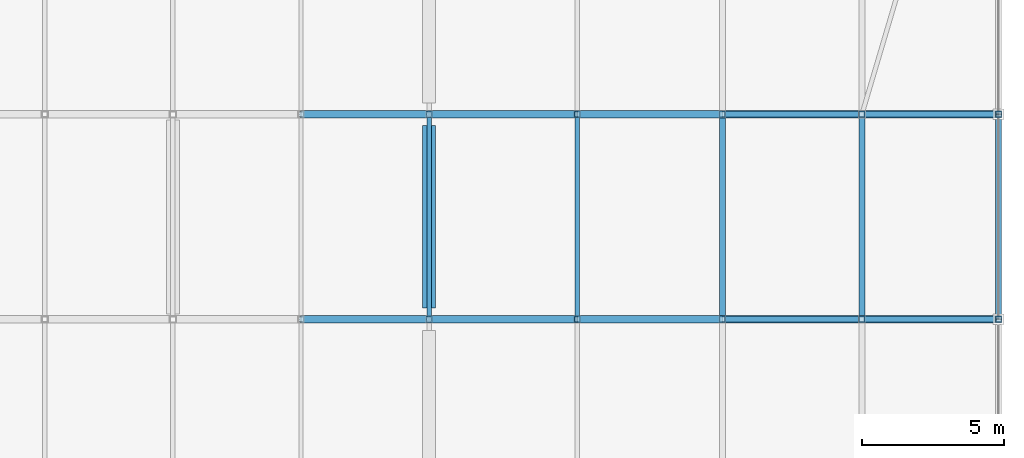
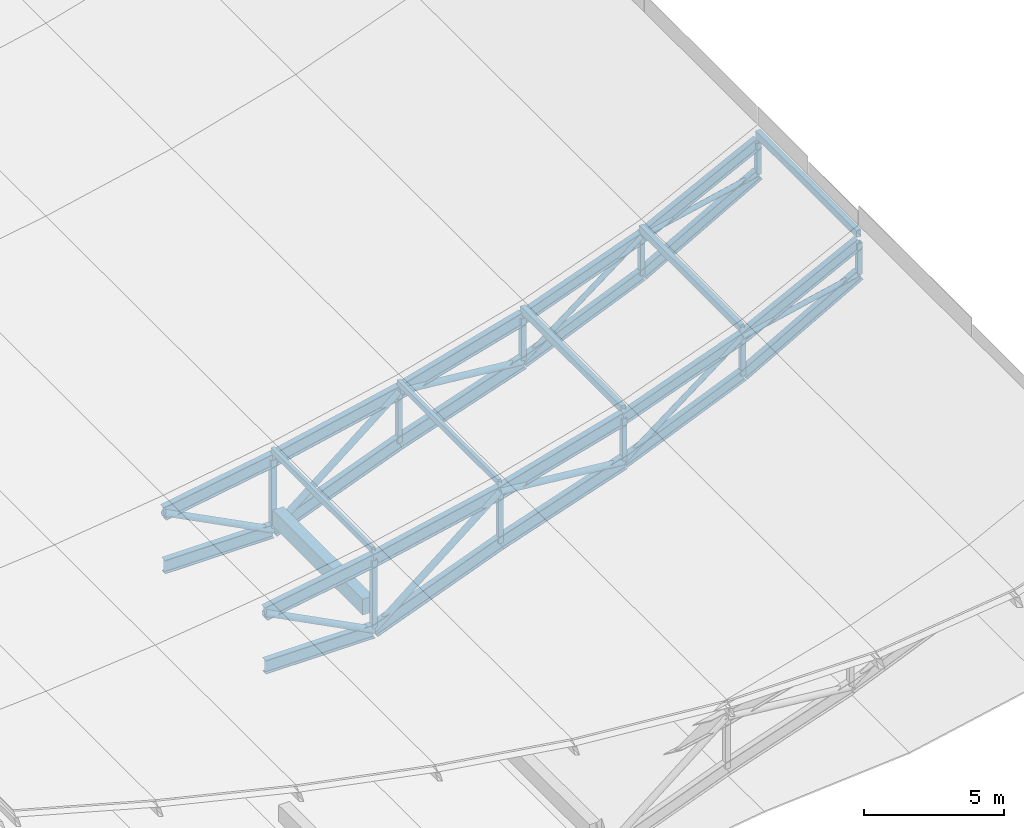
# One storey, part 7 of 24: 25 members, 21 beams.
"""IFC4 building model written with IfcOpenShell, lengths in metres."""

import ifcopenshell
import ifcopenshell.guid

model = None  # the IFC model being written
_history = None  # IfcOwnerHistory: only IFC2X3 demands one
_inside = {}  # id of a spatial element -> (the spatial element, [elements in it])
_under = {}  # id of a project, library or spatial element -> (it, [spatial elements below it])
_declared = {}  # id of a project -> (the project, [libraries it declares])
_typed = {}  # id of a type object -> (the type object, [elements of that type])
_made_of = {}  # id of a material, layer set ... -> (it, [elements and type objects made of it])


def new_model(schema):
    """Start an empty IFC model of exactly this schema.

    Asked for "IFC4X3", IfcOpenShell would pick the latest addendum, in which some entities
    have other attributes; the version numbers below select the first issue.
    IFC2X3 requires an IfcOwnerHistory on every rooted entity: one is made here for all.
    """
    global model, _history
    if schema == "IFC4X3":
        model = ifcopenshell.file(schema_version=(4, 3, 0, 0))
    else:
        model = ifcopenshell.file(schema=schema)
    _inside.clear()
    _under.clear()
    _declared.clear()
    _typed.clear()
    _made_of.clear()
    _history = None
    if model.schema == "IFC2X3":
        org = make("IfcOrganization", Name="unknown")
        user = make(
            "IfcPersonAndOrganization",
            ThePerson=make("IfcPerson", FamilyName="unknown"),
            TheOrganization=org,
        )
        app = make(
            "IfcApplication",
            ApplicationDeveloper=org,
            Version="unknown",
            ApplicationFullName="unknown",
            ApplicationIdentifier="unknown",
        )
        _history = make(
            "IfcOwnerHistory",
            OwningUser=user,
            OwningApplication=app,
            ChangeAction="ADDED",
            CreationDate=0,
        )
    return model


def make(cls, **values):
    """One entity of the class cls with the attributes given. An attribute that is None is left unset."""
    return model.create_entity(
        cls, **{name: value for name, value in values.items() if value is not None}
    )


def rooted(cls, **values):
    """An entity with a GlobalId (a new one), such as an element, a storey or a relation."""
    return make(cls, GlobalId=ifcopenshell.guid.new(), OwnerHistory=_history, **values)


def si_unit(unit_type, name, prefix=None):
    """IfcSIUnit, for example si_unit("LENGTHUNIT", "METRE", prefix="MILLI")."""
    return make("IfcSIUnit", UnitType=unit_type, Prefix=prefix, Name=name)


def assignment(units):
    """IfcUnitAssignment: the units of a project."""
    return None if units is None else make("IfcUnitAssignment", Units=units)


def point(xyz):
    """IfcCartesianPoint."""
    return None if xyz is None else make("IfcCartesianPoint", Coordinates=xyz)


def direction(xyz):
    """IfcDirection."""
    return None if xyz is None else make("IfcDirection", DirectionRatios=xyz)


def frame(location, z_axis=None, x_axis=None):
    """IfcAxis2Placement3D, a coordinate frame: its origin and axes. An axis left out is left unset."""
    return make(
        "IfcAxis2Placement3D",
        Location=point(location),
        Axis=direction(z_axis),
        RefDirection=direction(x_axis),
    )


def frame_2d(location, x_axis=None):
    """IfcAxis2Placement2D, a coordinate frame in the plane: its origin and x axis."""
    return make(
        "IfcAxis2Placement2D", Location=point(location), RefDirection=direction(x_axis)
    )


def origin():
    """The frame at (0, 0, 0) with its axes left unset."""
    return frame((0.0, 0.0, 0.0))


def origin_2d():
    """The frame at (0, 0) in the plane with its x axis left unset."""
    return frame_2d((0.0, 0.0))


def place(relative_to, where):
    """IfcLocalPlacement: puts the frame where relative to a parent placement (None: the world)."""
    return make(
        "IfcLocalPlacement", PlacementRelTo=relative_to, RelativePlacement=where
    )


def context(
    kind, dimensions, precision=None, world=None, true_north=None, identifier=None
):
    """IfcGeometricRepresentationContext, for example the 3D "Model" context."""
    return make(
        "IfcGeometricRepresentationContext",
        ContextIdentifier=identifier,
        ContextType=kind,
        CoordinateSpaceDimension=dimensions,
        Precision=precision,
        WorldCoordinateSystem=world,
        TrueNorth=true_north,
    )


def subcontext(parent, identifier, kind, view, scale=None):
    """IfcGeometricRepresentationSubContext, for example "Body" below "Model"."""
    return make(
        "IfcGeometricRepresentationSubContext",
        ContextIdentifier=identifier,
        ContextType=kind,
        ParentContext=parent,
        TargetScale=scale,
        TargetView=view,
    )


def project(units=None, contexts=None):
    """IfcProject with its units and contexts."""
    return rooted(
        "IfcProject",
        Name="project",
        RepresentationContexts=contexts,
        UnitsInContext=assignment(units),
    )


def spatial(cls, under=None, at=None, **own):
    """A site, building, storey or space (cls), placed at a placement, below another one or the project."""
    s = rooted(cls, ObjectPlacement=at, **own)
    if under is not None:
        _under.setdefault(under.id(), (under, []))[1].append(s)
    return s


def profile(cls, at=None, kind="AREA", **sizes):
    """A parametric profile (cls). Its sizes go by their IFC names, for example OverallWidth=200.0."""
    return make(cls, ProfileType=kind, Position=at, **sizes)


def rectangle(**sizes):
    """IfcRectangleProfileDef."""
    return profile("IfcRectangleProfileDef", **sizes)


def hollow_rectangle(**sizes):
    """IfcRectangleHollowProfileDef."""
    return profile("IfcRectangleHollowProfileDef", **sizes)


def hollow_circle(**sizes):
    """IfcCircleHollowProfileDef."""
    return profile("IfcCircleHollowProfileDef", **sizes)


def i_section(**sizes):
    """IfcIShapeProfileDef."""
    return profile("IfcIShapeProfileDef", **sizes)


def extrude(swept, where, along, depth):
    """IfcExtrudedAreaSolid: the profile swept, set in the frame where, extruded along a direction by depth."""
    return make(
        "IfcExtrudedAreaSolid",
        SweptArea=swept,
        Position=where,
        ExtrudedDirection=direction(along),
        Depth=depth,
    )


def shape(context_of_items, identifier, shape_type, items):
    """IfcShapeRepresentation: the items that make up one representation, for example the "Body"."""
    return make(
        "IfcShapeRepresentation",
        ContextOfItems=context_of_items,
        RepresentationIdentifier=identifier,
        RepresentationType=shape_type,
        Items=items,
    )


def material(Name=None, Category=None):
    """IfcMaterial."""
    return make("IfcMaterial", Name=Name, Category=Category)


def material_profile(
    of_material, cross_section, Name=None, Category=None, Priority=None
):
    """IfcMaterialProfile: a cross section and its material."""
    return make(
        "IfcMaterialProfile",
        Name=Name,
        Material=of_material,
        Profile=cross_section,
        Priority=Priority,
        Category=Category,
    )


def profile_set(profiles, Name=None, composite=None):
    """IfcMaterialProfileSet."""
    return make(
        "IfcMaterialProfileSet",
        Name=Name,
        MaterialProfiles=profiles,
        CompositeProfile=composite,
    )


def made_of(thing, what):
    """Note that an element or type object is made of a material, layer set ...; save() writes the relation."""
    if what is not None:
        _made_of.setdefault(what.id(), (what, []))[1].append(thing)
    return thing


def type_object(cls, material=None, **own):
    """A type object (cls), such as IfcWallType, which elements share."""
    return made_of(rooted(cls, **own), material)


def element(
    cls,
    number,
    at=None,
    inside=None,
    cuts=None,
    type_object=None,
    material=None,
    context=None,
    identifier="Body",
    shape_type=None,
    held_by="IfcProductDefinitionShape",
    body=None,
    shapes=None,
    **own,
):
    """One element of the class cls, such as IfcWall. Its Tag is "e" and its number.

    at: its placement. inside: the storey or other place that contains it. cuts: it is an
    opening in that element (IfcRelVoidsElement). A single representation is given by context,
    identifier, shape_type and body (its items); several are given by shapes. held_by: the class
    of the entity that holds the representations. save() writes the other relations.
    """
    e = rooted(cls, Tag="e%d" % number, ObjectPlacement=at, **own)
    if body is not None:
        shapes = [shape(context, identifier, shape_type, body)]
    if shapes is not None:
        e.Representation = make(held_by, Representations=shapes)
    if inside is not None:
        _inside.setdefault(inside.id(), (inside, []))[1].append(e)
    if cuts is not None:
        rooted(
            "IfcRelVoidsElement", RelatingBuildingElement=cuts, RelatedOpeningElement=e
        )
    if type_object is not None:
        _typed.setdefault(type_object.id(), (type_object, []))[1].append(e)
    return made_of(e, material)


def aggregate(whole, parts):
    """IfcRelAggregates: a whole, such as a stair, and the parts it consists of."""
    return rooted("IfcRelAggregates", RelatingObject=whole, RelatedObjects=parts)


def save(model, path):
    """Write the relations noted so far, then the file.

    IfcRelAggregates (storeys below a building ...), IfcRelContainedInSpatialStructure (elements
    in a storey), IfcRelDefinesByType, IfcRelAssociatesMaterial and IfcRelDeclares: one each for
    every whole, place, type object, material and project.
    """
    for whole, parts in _under.values():
        aggregate(whole, parts)
    for where, things in _inside.values():
        rooted(
            "IfcRelContainedInSpatialStructure",
            RelatedElements=things,
            RelatingStructure=where,
        )
    for kind, things in _typed.values():
        rooted("IfcRelDefinesByType", RelatedObjects=things, RelatingType=kind)
    for what, things in _made_of.values():
        rooted("IfcRelAssociatesMaterial", RelatedObjects=things, RelatingMaterial=what)
    for by, libraries in _declared.values():
        rooted("IfcRelDeclares", RelatingContext=by, RelatedDefinitions=libraries)
    model.write(path)


model = new_model("IFC4")

# Units and contexts
model_context = context("Model", 3, precision=1e-05, world=origin(), true_north=direction((0.0, 1.0)))
body_context = subcontext(model_context, "Body", "Model", "MODEL_VIEW")
ifc_project = project(units=[si_unit("LENGTHUNIT", "METRE"), si_unit("AREAUNIT", "SQUARE_METRE"), si_unit("VOLUMEUNIT", "CUBIC_METRE"), si_unit("PLANEANGLEUNIT", "RADIAN"), si_unit("MASSUNIT", "GRAM", prefix="KILO"), si_unit("THERMODYNAMICTEMPERATUREUNIT", "KELVIN"), si_unit("POWERUNIT", "WATT")], contexts=[model_context])

# Site, building, storey
site_placement = place(None, origin())
site = spatial("IfcSite", under=ifc_project, at=site_placement, CompositionType="ELEMENT")
building_placement = place(site_placement, origin())
building = spatial("IfcBuilding", under=site, at=building_placement, Name="Sindhuravela Promenade Stadium", CompositionType="ELEMENT")
storey_placement = place(building_placement, frame((0.0, 0.0, 28.800048828125)))
storey = spatial("IfcBuildingStorey", under=building, at=storey_placement, Name="RF", CompositionType="ELEMENT", Elevation=28.800048828125)

# Beams
ifc_material_1 = material(Name="Concrete M40", Category="concrete")
ifc_material_profile_1 = material_profile(ifc_material_1, rectangle(XDim=0.449951171875, YDim=0.699951171875, at=origin_2d()), Name="RC 450x700")
ifc_profile_set_1 = profile_set([ifc_material_profile_1], Name="Concrete M40")
beam_type_1 = type_object("IfcBeamType", Name="RC-BM-450x700", PredefinedType="BEAM", material=ifc_profile_set_1)
beam_1_placement = place(storey_placement, frame((36.0, 61.590087890625, -0.590087890625), z_axis=(0.0, 1.0, 0.0), x_axis=(-1.0, 0.0, 0.0)))
element("IfcBeam", 1, at=beam_1_placement, inside=storey, type_object=beam_type_1, Name="Primary beam GB07 WEST RF", PredefinedType="BEAM", context=body_context, shape_type="SweptSolid", body=[
    extrude(rectangle(XDim=0.449951171875, YDim=0.699951171875, at=origin_2d()), origin(), (0.0, 0.0, 1.0), 6.419921875),
])
ifc_material_2 = material(Name="Steel E350 (IS 2062 E350BR)", Category="steel")
ifc_material_profile_2 = material_profile(ifc_material_2, i_section(OverallWidth=0.25, OverallDepth=0.5, WebThickness=0.010009765625, FlangeThickness=0.0146484375, FilletRadius=0.014892578125, at=origin_2d()), Name="ISWB 500")
ifc_profile_set_2 = profile_set([ifc_material_profile_2], Name="Steel E350 (IS 2062 E350BR)")
beam_type_2 = type_object("IfcBeamType", Name="ST-BM-WB500", PredefinedType="USERDEFINED", material=ifc_profile_set_2)
beam_2_placement = place(storey_placement, frame((46.300048828125, 61.199951171875, 4.24658203125), z_axis=(0.9381490392087664, 0.0, 0.34623168577076896), x_axis=(0.0, 1.0, 0.0)))
element("IfcBeam", 2, at=beam_2_placement, inside=storey, type_object=beam_type_2, Name="Roof truss RT-W03 top chord 7", ObjectType="ROOF TRUSS", PredefinedType="USERDEFINED", context=body_context, shape_type="SweptSolid", body=[
    extrude(i_section(OverallWidth=0.25, OverallDepth=0.5, WebThickness=0.010009765625, FlangeThickness=0.0146484375, FilletRadius=0.014892578125, at=origin_2d()), origin(), (0.0, 0.0, 1.0), 5.222900390625),
])
beam_3_placement = place(storey_placement, frame((46.300048828125, 61.199951171875, 2.325927734375), z_axis=(0.9202112137061758, 0.0, 0.39142217894417647), x_axis=(0.0, 1.0, 0.0)))
element("IfcBeam", 3, at=beam_3_placement, inside=storey, type_object=beam_type_2, Name="Roof truss RT-W03 bottom chord 7", ObjectType="ROOF TRUSS", PredefinedType="USERDEFINED", context=body_context, shape_type="SweptSolid", body=[
    extrude(i_section(OverallWidth=0.25, OverallDepth=0.5, WebThickness=0.010009765625, FlangeThickness=0.0146484375, FilletRadius=0.014892578125, at=origin_2d()), origin(), (0.0, 0.0, 1.0), 5.32470703125),
])
beam_4_placement = place(storey_placement, frame((51.199951171875, 61.199951171875, 6.054931640625), z_axis=(0.8914422517070215, 0.0, 0.4531343199003089), x_axis=(0.0, 1.0, 0.0)))
element("IfcBeam", 4, at=beam_4_placement, inside=storey, type_object=beam_type_2, Name="Roof truss RT-W03 top chord 8", ObjectType="ROOF TRUSS", PredefinedType="USERDEFINED", context=body_context, shape_type="SweptSolid", body=[
    extrude(i_section(OverallWidth=0.25, OverallDepth=0.5, WebThickness=0.010009765625, FlangeThickness=0.0146484375, FilletRadius=0.014892578125, at=origin_2d()), origin(), (0.0, 0.0, 1.0), 5.384521484375),
])
beam_5_placement = place(storey_placement, frame((51.199951171875, 61.199951171875, 4.41015625), z_axis=(0.870823391625607, 0.0, 0.4915959932685322), x_axis=(0.0, 1.0, 0.0)))
element("IfcBeam", 5, at=beam_5_placement, inside=storey, type_object=beam_type_2, Name="Roof truss RT-W03 bottom chord 8", ObjectType="ROOF TRUSS", PredefinedType="USERDEFINED", context=body_context, shape_type="SweptSolid", body=[
    extrude(i_section(OverallWidth=0.25, OverallDepth=0.5, WebThickness=0.010009765625, FlangeThickness=0.0146484375, FilletRadius=0.014892578125, at=origin_2d()), origin(), (0.0, 0.0, 1.0), 5.511962890625),
])
beam_6_placement = place(storey_placement, frame((46.300048828125, 68.39990234375, 4.24658203125), z_axis=(0.9381490392087664, 0.0, 0.34623168577076896), x_axis=(0.0, 1.0, 0.0)))
element("IfcBeam", 6, at=beam_6_placement, inside=storey, type_object=beam_type_2, Name="Roof truss RT-W04 top chord 7", ObjectType="ROOF TRUSS", PredefinedType="USERDEFINED", context=body_context, shape_type="SweptSolid", body=[
    extrude(i_section(OverallWidth=0.25, OverallDepth=0.5, WebThickness=0.010009765625, FlangeThickness=0.0146484375, FilletRadius=0.014892578125, at=origin_2d()), origin(), (0.0, 0.0, 1.0), 5.222900390625),
])
beam_7_placement = place(storey_placement, frame((46.300048828125, 68.39990234375, 2.325927734375), z_axis=(0.9202112137061758, 0.0, 0.39142217894417647), x_axis=(0.0, 1.0, 0.0)))
element("IfcBeam", 7, at=beam_7_placement, inside=storey, type_object=beam_type_2, Name="Roof truss RT-W04 bottom chord 7", ObjectType="ROOF TRUSS", PredefinedType="USERDEFINED", context=body_context, shape_type="SweptSolid", body=[
    extrude(i_section(OverallWidth=0.25, OverallDepth=0.5, WebThickness=0.010009765625, FlangeThickness=0.0146484375, FilletRadius=0.014892578125, at=origin_2d()), origin(), (0.0, 0.0, 1.0), 5.32470703125),
])
beam_8_placement = place(storey_placement, frame((51.199951171875, 68.39990234375, 6.054931640625), z_axis=(0.8914422517070215, 0.0, 0.4531343199003089), x_axis=(0.0, 1.0, 0.0)))
element("IfcBeam", 8, at=beam_8_placement, inside=storey, type_object=beam_type_2, Name="Roof truss RT-W04 top chord 8", ObjectType="ROOF TRUSS", PredefinedType="USERDEFINED", context=body_context, shape_type="SweptSolid", body=[
    extrude(i_section(OverallWidth=0.25, OverallDepth=0.5, WebThickness=0.010009765625, FlangeThickness=0.0146484375, FilletRadius=0.014892578125, at=origin_2d()), origin(), (0.0, 0.0, 1.0), 5.384521484375),
])
beam_9_placement = place(storey_placement, frame((51.199951171875, 68.39990234375, 4.41015625), z_axis=(0.870823391625607, 0.0, 0.4915959932685322), x_axis=(0.0, 1.0, 0.0)))
element("IfcBeam", 9, at=beam_9_placement, inside=storey, type_object=beam_type_2, Name="Roof truss RT-W04 bottom chord 8", ObjectType="ROOF TRUSS", PredefinedType="USERDEFINED", context=body_context, shape_type="SweptSolid", body=[
    extrude(i_section(OverallWidth=0.25, OverallDepth=0.5, WebThickness=0.010009765625, FlangeThickness=0.0146484375, FilletRadius=0.014892578125, at=origin_2d()), origin(), (0.0, 0.0, 1.0), 5.511962890625),
])
ifc_material_profile_3 = material_profile(ifc_material_2, i_section(OverallWidth=0.25, OverallDepth=0.60009765625, WebThickness=0.01171875, FlangeThickness=0.023681640625, FilletRadius=0.01708984375, at=origin_2d()), Name="ISWB 600")
ifc_profile_set_3 = profile_set([ifc_material_profile_3], Name="Steel E350 (IS 2062 E350BR)")
beam_type_3 = type_object("IfcBeamType", Name="ST-BM-WB600", PredefinedType="USERDEFINED", material=ifc_profile_set_3)
beam_10_placement = place(storey_placement, frame((31.5, 61.199951171875, 0.91796875), z_axis=(0.9860007817439423, 0.0, 0.16674069209504494), x_axis=(0.0, 1.0, 0.0)))
element("IfcBeam", 10, at=beam_10_placement, inside=storey, type_object=beam_type_3, Name="Roof truss RT-W03 top chord 4", ObjectType="ROOF TRUSS", PredefinedType="USERDEFINED", context=body_context, shape_type="SweptSolid", body=[
    extrude(i_section(OverallWidth=0.25, OverallDepth=0.60009765625, WebThickness=0.01171875, FlangeThickness=0.023681640625, FilletRadius=0.01708984375, at=origin_2d()), origin(), (0.0, 0.0, 1.0), 4.56396484375),
])
beam_11_placement = place(storey_placement, frame((31.5, 61.199951171875, -1.400146484375), z_axis=(1.0, 0.0, 0.0), x_axis=(0.0, 1.0, 0.0)))
element("IfcBeam", 11, at=beam_11_placement, inside=storey, type_object=beam_type_3, Name="Roof truss RT-W03 bottom chord 4", ObjectType="ROOF TRUSS", PredefinedType="USERDEFINED", context=body_context, shape_type="SweptSolid", body=[
    extrude(i_section(OverallWidth=0.25, OverallDepth=0.60009765625, WebThickness=0.01171875, FlangeThickness=0.023681640625, FilletRadius=0.01708984375, at=origin_2d()), origin(), (0.0, 0.0, 1.0), 4.5),
])
beam_12_placement = place(storey_placement, frame((36.0, 61.199951171875, 1.678955078125), z_axis=(0.9771784342317954, 0.0, 0.21242012068609853), x_axis=(0.0, 1.0, 0.0)))
element("IfcBeam", 12, at=beam_12_placement, inside=storey, type_object=beam_type_3, Name="Roof truss RT-W03 top chord 5", ObjectType="ROOF TRUSS", PredefinedType="USERDEFINED", context=body_context, shape_type="SweptSolid", body=[
    extrude(i_section(OverallWidth=0.25, OverallDepth=0.60009765625, WebThickness=0.01171875, FlangeThickness=0.023681640625, FilletRadius=0.01708984375, at=origin_2d()), origin(), (0.0, 0.0, 1.0), 5.3212890625),
])
beam_13_placement = place(storey_placement, frame((36.0, 61.199951171875, -1.400146484375), z_axis=(0.9332269823320635, 0.0, 0.3592873494118466), x_axis=(0.0, 1.0, 0.0)))
element("IfcBeam", 13, at=beam_13_placement, inside=storey, type_object=beam_type_3, Name="Roof truss RT-W03 bottom chord 5", ObjectType="ROOF TRUSS", PredefinedType="USERDEFINED", context=body_context, shape_type="SweptSolid", body=[
    extrude(i_section(OverallWidth=0.25, OverallDepth=0.60009765625, WebThickness=0.01171875, FlangeThickness=0.023681640625, FilletRadius=0.01708984375, at=origin_2d()), origin(), (0.0, 0.0, 1.0), 5.572021484375),
])
beam_14_placement = place(storey_placement, frame((41.199951171875, 61.199951171875, 2.809326171875), z_axis=(0.9625104587283877, 0.0, 0.2712445701548118), x_axis=(0.0, 1.0, 0.0)))
element("IfcBeam", 14, at=beam_14_placement, inside=storey, type_object=beam_type_3, Name="Roof truss RT-W03 top chord 6", ObjectType="ROOF TRUSS", PredefinedType="USERDEFINED", context=body_context, shape_type="SweptSolid", body=[
    extrude(i_section(OverallWidth=0.25, OverallDepth=0.60009765625, WebThickness=0.01171875, FlangeThickness=0.023681640625, FilletRadius=0.01708984375, at=origin_2d()), origin(), (0.0, 0.0, 1.0), 5.298828125),
])
beam_15_placement = place(storey_placement, frame((41.199951171875, 61.199951171875, 0.601806640625), z_axis=(0.947332432417477, 0.0, 0.32025187351518536), x_axis=(0.0, 1.0, 0.0)))
element("IfcBeam", 15, at=beam_15_placement, inside=storey, type_object=beam_type_3, Name="Roof truss RT-W03 bottom chord 6", ObjectType="ROOF TRUSS", PredefinedType="USERDEFINED", context=body_context, shape_type="SweptSolid", body=[
    extrude(i_section(OverallWidth=0.25, OverallDepth=0.60009765625, WebThickness=0.01171875, FlangeThickness=0.023681640625, FilletRadius=0.01708984375, at=origin_2d()), origin(), (0.0, 0.0, 1.0), 5.383544921875),
])
beam_16_placement = place(storey_placement, frame((31.5, 68.39990234375, 0.91796875), z_axis=(0.9860007817439423, 0.0, 0.16674069209504494), x_axis=(0.0, 1.0, 0.0)))
element("IfcBeam", 16, at=beam_16_placement, inside=storey, type_object=beam_type_3, Name="Roof truss RT-W04 top chord 4", ObjectType="ROOF TRUSS", PredefinedType="USERDEFINED", context=body_context, shape_type="SweptSolid", body=[
    extrude(i_section(OverallWidth=0.25, OverallDepth=0.60009765625, WebThickness=0.01171875, FlangeThickness=0.023681640625, FilletRadius=0.01708984375, at=origin_2d()), origin(), (0.0, 0.0, 1.0), 4.56396484375),
])
beam_17_placement = place(storey_placement, frame((31.5, 68.39990234375, -1.400146484375), z_axis=(1.0, 0.0, 0.0), x_axis=(0.0, 1.0, 0.0)))
element("IfcBeam", 17, at=beam_17_placement, inside=storey, type_object=beam_type_3, Name="Roof truss RT-W04 bottom chord 4", ObjectType="ROOF TRUSS", PredefinedType="USERDEFINED", context=body_context, shape_type="SweptSolid", body=[
    extrude(i_section(OverallWidth=0.25, OverallDepth=0.60009765625, WebThickness=0.01171875, FlangeThickness=0.023681640625, FilletRadius=0.01708984375, at=origin_2d()), origin(), (0.0, 0.0, 1.0), 4.5),
])
beam_18_placement = place(storey_placement, frame((36.0, 68.39990234375, 1.678955078125), z_axis=(0.9771784342317954, 0.0, 0.21242012068609853), x_axis=(0.0, 1.0, 0.0)))
element("IfcBeam", 18, at=beam_18_placement, inside=storey, type_object=beam_type_3, Name="Roof truss RT-W04 top chord 5", ObjectType="ROOF TRUSS", PredefinedType="USERDEFINED", context=body_context, shape_type="SweptSolid", body=[
    extrude(i_section(OverallWidth=0.25, OverallDepth=0.60009765625, WebThickness=0.01171875, FlangeThickness=0.023681640625, FilletRadius=0.01708984375, at=origin_2d()), origin(), (0.0, 0.0, 1.0), 5.3212890625),
])
beam_19_placement = place(storey_placement, frame((36.0, 68.39990234375, -1.400146484375), z_axis=(0.9332269823320635, 0.0, 0.3592873494118466), x_axis=(0.0, 1.0, 0.0)))
element("IfcBeam", 19, at=beam_19_placement, inside=storey, type_object=beam_type_3, Name="Roof truss RT-W04 bottom chord 5", ObjectType="ROOF TRUSS", PredefinedType="USERDEFINED", context=body_context, shape_type="SweptSolid", body=[
    extrude(i_section(OverallWidth=0.25, OverallDepth=0.60009765625, WebThickness=0.01171875, FlangeThickness=0.023681640625, FilletRadius=0.01708984375, at=origin_2d()), origin(), (0.0, 0.0, 1.0), 5.572021484375),
])
beam_20_placement = place(storey_placement, frame((41.199951171875, 68.39990234375, 2.809326171875), z_axis=(0.9625104587283877, 0.0, 0.2712445701548118), x_axis=(0.0, 1.0, 0.0)))
element("IfcBeam", 20, at=beam_20_placement, inside=storey, type_object=beam_type_3, Name="Roof truss RT-W04 top chord 6", ObjectType="ROOF TRUSS", PredefinedType="USERDEFINED", context=body_context, shape_type="SweptSolid", body=[
    extrude(i_section(OverallWidth=0.25, OverallDepth=0.60009765625, WebThickness=0.01171875, FlangeThickness=0.023681640625, FilletRadius=0.01708984375, at=origin_2d()), origin(), (0.0, 0.0, 1.0), 5.298828125),
])
beam_21_placement = place(storey_placement, frame((41.199951171875, 68.39990234375, 0.601806640625), z_axis=(0.947332432417477, 0.0, 0.32025187351518536), x_axis=(0.0, 1.0, 0.0)))
element("IfcBeam", 21, at=beam_21_placement, inside=storey, type_object=beam_type_3, Name="Roof truss RT-W04 bottom chord 6", ObjectType="ROOF TRUSS", PredefinedType="USERDEFINED", context=body_context, shape_type="SweptSolid", body=[
    extrude(i_section(OverallWidth=0.25, OverallDepth=0.60009765625, WebThickness=0.01171875, FlangeThickness=0.023681640625, FilletRadius=0.01708984375, at=origin_2d()), origin(), (0.0, 0.0, 1.0), 5.383544921875),
])

# Members
ifc_material_profile_4 = material_profile(ifc_material_2, hollow_circle(Radius=0.109619140625, WallThickness=0.010009765625, at=origin_2d()), Name="CHS 219.1x10")
ifc_profile_set_4 = profile_set([ifc_material_profile_4], Name="Steel E350 (IS 2062 E350BR)")
member_type_1 = type_object("IfcMemberType", Name="ST-MB-CHS219", PredefinedType="BRACE", material=ifc_profile_set_4)
member_1_placement = place(storey_placement, frame((46.300048828125, 61.199951171875, 2.325927734375), z_axis=(0.7957647236205557, 0.0, 0.605605898783277), x_axis=(0.0, 1.0, 0.0)))
element("IfcMember", 22, at=member_1_placement, inside=storey, type_object=member_type_1, Name="Roof truss RT-W03 diagonal web 7", PredefinedType="BRACE", context=body_context, shape_type="SweptSolid", body=[
    extrude(hollow_circle(Radius=0.109619140625, WallThickness=0.010009765625, at=origin_2d()), origin(), (0.0, 0.0, 1.0), 6.157470703125),
])
member_2_placement = place(storey_placement, frame((51.199951171875, 61.199951171875, 6.054931640625), z_axis=(0.9762617763838976, 0.0, 0.21659396106945533), x_axis=(0.0, 1.0, 0.0)))
element("IfcMember", 23, at=member_2_placement, inside=storey, type_object=member_type_1, Name="Roof truss RT-W03 diagonal web 8", PredefinedType="BRACE", context=body_context, shape_type="SweptSolid", body=[
    extrude(hollow_circle(Radius=0.109619140625, WallThickness=0.010009765625, at=origin_2d()), origin(), (0.0, 0.0, 1.0), 4.916748046875),
])
member_3_placement = place(storey_placement, frame((46.300048828125, 68.39990234375, 2.325927734375), z_axis=(0.7957647236205557, 0.0, 0.605605898783277), x_axis=(0.0, 1.0, 0.0)))
element("IfcMember", 24, at=member_3_placement, inside=storey, type_object=member_type_1, Name="Roof truss RT-W04 diagonal web 7", PredefinedType="BRACE", context=body_context, shape_type="SweptSolid", body=[
    extrude(hollow_circle(Radius=0.109619140625, WallThickness=0.010009765625, at=origin_2d()), origin(), (0.0, 0.0, 1.0), 6.157470703125),
])
member_4_placement = place(storey_placement, frame((51.199951171875, 68.39990234375, 6.054931640625), z_axis=(0.9762617763838976, 0.0, 0.21659396106945533), x_axis=(0.0, 1.0, 0.0)))
element("IfcMember", 25, at=member_4_placement, inside=storey, type_object=member_type_1, Name="Roof truss RT-W04 diagonal web 8", PredefinedType="BRACE", context=body_context, shape_type="SweptSolid", body=[
    extrude(hollow_circle(Radius=0.109619140625, WallThickness=0.010009765625, at=origin_2d()), origin(), (0.0, 0.0, 1.0), 4.916748046875),
])
ifc_material_profile_5 = material_profile(ifc_material_2, hollow_circle(Radius=0.136474609375, WallThickness=0.010009765625, at=origin_2d()), Name="CHS 273.0x10")
ifc_profile_set_5 = profile_set([ifc_material_profile_5], Name="Steel E350 (IS 2062 E350BR)")
member_type_2 = type_object("IfcMemberType", Name="ST-MB-CHS273", PredefinedType="BRACE", material=ifc_profile_set_5)
member_5_placement = place(storey_placement, frame((31.5, 61.199951171875, 0.91796875), z_axis=(0.8889799113932431, 0.0, -0.457946194589781), x_axis=(0.0, 1.0, 0.0)))
element("IfcMember", 26, at=member_5_placement, inside=storey, type_object=member_type_2, Name="Roof truss RT-W03 diagonal web 4", PredefinedType="BRACE", context=body_context, shape_type="SweptSolid", body=[
    extrude(hollow_circle(Radius=0.136474609375, WallThickness=0.010009765625, at=origin_2d()), origin(), (0.0, 0.0, 1.0), 5.06201171875),
])
member_6_placement = place(storey_placement, frame((36.0, 61.199951171875, -1.400146484375), z_axis=(0.7772457205233317, 0.0, 0.6291971788939991), x_axis=(0.0, 1.0, 0.0)))
element("IfcMember", 27, at=member_6_placement, inside=storey, type_object=member_type_2, Name="Roof truss RT-W03 diagonal web 5", PredefinedType="BRACE", context=body_context, shape_type="SweptSolid", body=[
    extrude(hollow_circle(Radius=0.136474609375, WallThickness=0.010009765625, at=origin_2d()), origin(), (0.0, 0.0, 1.0), 6.690185546875),
])
member_7_placement = place(storey_placement, frame((41.199951171875, 61.199951171875, 2.809326171875), z_axis=(0.9955382080230687, 0.0, -0.09435929401080306), x_axis=(0.0, 1.0, 0.0)))
element("IfcMember", 28, at=member_7_placement, inside=storey, type_object=member_type_2, Name="Roof truss RT-W03 diagonal web 6", PredefinedType="BRACE", context=body_context, shape_type="SweptSolid", body=[
    extrude(hollow_circle(Radius=0.136474609375, WallThickness=0.010009765625, at=origin_2d()), origin(), (0.0, 0.0, 1.0), 5.123046875),
])
member_8_placement = place(storey_placement, frame((31.5, 68.39990234375, 0.91796875), z_axis=(0.8889799113932431, 0.0, -0.457946194589781), x_axis=(0.0, 1.0, 0.0)))
element("IfcMember", 29, at=member_8_placement, inside=storey, type_object=member_type_2, Name="Roof truss RT-W04 diagonal web 4", PredefinedType="BRACE", context=body_context, shape_type="SweptSolid", body=[
    extrude(hollow_circle(Radius=0.136474609375, WallThickness=0.010009765625, at=origin_2d()), origin(), (0.0, 0.0, 1.0), 5.06201171875),
])
member_9_placement = place(storey_placement, frame((36.0, 68.39990234375, -1.400146484375), z_axis=(0.7772457205233317, 0.0, 0.6291971788939991), x_axis=(0.0, 1.0, 0.0)))
element("IfcMember", 30, at=member_9_placement, inside=storey, type_object=member_type_2, Name="Roof truss RT-W04 diagonal web 5", PredefinedType="BRACE", context=body_context, shape_type="SweptSolid", body=[
    extrude(hollow_circle(Radius=0.136474609375, WallThickness=0.010009765625, at=origin_2d()), origin(), (0.0, 0.0, 1.0), 6.690185546875),
])
member_10_placement = place(storey_placement, frame((41.199951171875, 68.39990234375, 2.809326171875), z_axis=(0.9955382080230687, 0.0, -0.09435929401080306), x_axis=(0.0, 1.0, 0.0)))
element("IfcMember", 31, at=member_10_placement, inside=storey, type_object=member_type_2, Name="Roof truss RT-W04 diagonal web 6", PredefinedType="BRACE", context=body_context, shape_type="SweptSolid", body=[
    extrude(hollow_circle(Radius=0.136474609375, WallThickness=0.010009765625, at=origin_2d()), origin(), (0.0, 0.0, 1.0), 5.123046875),
])
ifc_material_profile_6 = material_profile(ifc_material_2, hollow_rectangle(XDim=0.14990234375, YDim=0.25, WallThickness=0.010009765625, at=origin_2d()), Name="RHS 250x150x10")
ifc_profile_set_6 = profile_set([ifc_material_profile_6], Name="Steel E350 (IS 2062 E350BR)")
member_type_3 = type_object("IfcMemberType", Name="ST-MB-RHS250", PredefinedType="PURLIN", material=ifc_profile_set_6)
for number, where, z_axis, x_axis, name in (
    (32, (36.0, 61.199951171875, 2.071044921875), (0.0, 1.0, 0.0), (-1.0, 0.0, 0.0), "Roof purlin PR01 W bay 3.5"),
    (33, (41.199951171875, 61.199951171875, 3.201416015625), (0.0, 1.0, 0.0), (-1.0, 0.0, 0.0), "Roof purlin PR01 W bay 3.6"),
):
    element("IfcMember", number, at=place(storey_placement, frame(where, z_axis=z_axis, x_axis=x_axis)), inside=storey, type_object=member_type_3, Name=name, PredefinedType="PURLIN", context=body_context, shape_type="SweptSolid", body=[
        extrude(hollow_rectangle(XDim=0.14990234375, YDim=0.25, WallThickness=0.010009765625, at=origin_2d()), origin(), (0.0, 0.0, 1.0), 7.199951171875),
    ])
ifc_material_profile_7 = material_profile(ifc_material_2, hollow_rectangle(XDim=0.199951171875, YDim=0.300048828125, WallThickness=0.010009765625, at=origin_2d()), Name="RHS 300x200x10")
ifc_profile_set_7 = profile_set([ifc_material_profile_7], Name="Steel E350 (IS 2062 E350BR)")
member_type_4 = type_object("IfcMemberType", Name="ST-MB-RHS300", PredefinedType="PURLIN", material=ifc_profile_set_7)
for number, where, z_axis, x_axis, name in (
    (34, (46.300048828125, 61.199951171875, 4.613525390625), (0.0, 1.0, 0.0), (-1.0, 0.0, 0.0), "Roof purlin PR02 W bay 3.7"),
    (35, (51.199951171875, 61.199951171875, 6.422119140625), (0.0, 1.0, 0.0), (-1.0, 0.0, 0.0), "Roof purlin PR02 W bay 3.8"),
    (36, (56.0, 61.199951171875, 8.862060546875), (0.0, 1.0, 0.0), (-1.0, 0.0, 0.0), "Roof purlin PR02 W bay 3.9"),
):
    element("IfcMember", number, at=place(storey_placement, frame(where, z_axis=z_axis, x_axis=x_axis)), inside=storey, type_object=member_type_4, Name=name, PredefinedType="PURLIN", context=body_context, shape_type="SweptSolid", body=[
        extrude(hollow_rectangle(XDim=0.199951171875, YDim=0.300048828125, WallThickness=0.010009765625, at=origin_2d()), origin(), (0.0, 0.0, 1.0), 7.199951171875),
    ])
ifc_material_profile_8 = material_profile(ifc_material_2, hollow_rectangle(XDim=0.199951171875, YDim=0.199951171875, WallThickness=0.010009765625, at=origin_2d()), Name="SHS 200x200x10")
ifc_profile_set_8 = profile_set([ifc_material_profile_8], Name="Steel E350 (IS 2062 E350BR)")
member_type_5 = type_object("IfcMemberType", Name="ST-MB-SHS200", PredefinedType="POST", material=ifc_profile_set_8)
member_11_placement = place(storey_placement, frame((41.199951171875, 61.199951171875, 0.601806640625), z_axis=(0.0, 0.0, 1.0), x_axis=(1.0, 0.0, 0.0)))
element("IfcMember", 37, at=member_11_placement, inside=storey, type_object=member_type_5, Name="Roof truss RT-W03 vertical post 6", PredefinedType="POST", context=body_context, shape_type="SweptSolid", body=[
    extrude(hollow_rectangle(XDim=0.199951171875, YDim=0.199951171875, WallThickness=0.010009765625, at=origin_2d()), origin(), (0.0, 0.0, 1.0), 2.20751953125),
])
member_12_placement = place(storey_placement, frame((46.300048828125, 61.199951171875, 2.325927734375), z_axis=(0.0, 0.0, 1.0), x_axis=(1.0, 0.0, 0.0)))
element("IfcMember", 38, at=member_12_placement, inside=storey, type_object=member_type_5, Name="Roof truss RT-W03 vertical post 7", PredefinedType="POST", context=body_context, shape_type="SweptSolid", body=[
    extrude(hollow_rectangle(XDim=0.199951171875, YDim=0.199951171875, WallThickness=0.010009765625, at=origin_2d()), origin(), (0.0, 0.0, 1.0), 1.920654296875),
])
member_13_placement = place(storey_placement, frame((51.199951171875, 61.199951171875, 4.41015625), z_axis=(0.0, 0.0, 1.0), x_axis=(1.0, 0.0, 0.0)))
element("IfcMember", 39, at=member_13_placement, inside=storey, type_object=member_type_5, Name="Roof truss RT-W03 vertical post 8", PredefinedType="POST", context=body_context, shape_type="SweptSolid", body=[
    extrude(hollow_rectangle(XDim=0.199951171875, YDim=0.199951171875, WallThickness=0.010009765625, at=origin_2d()), origin(), (0.0, 0.0, 1.0), 1.644775390625),
])
member_14_placement = place(storey_placement, frame((56.0, 61.199951171875, 7.119873046875), z_axis=(0.0, 0.0, 1.0), x_axis=(1.0, 0.0, 0.0)))
element("IfcMember", 40, at=member_14_placement, inside=storey, type_object=member_type_5, Name="Roof truss RT-W03 vertical post 9", PredefinedType="POST", context=body_context, shape_type="SweptSolid", body=[
    extrude(hollow_rectangle(XDim=0.199951171875, YDim=0.199951171875, WallThickness=0.010009765625, at=origin_2d()), origin(), (0.0, 0.0, 1.0), 1.375),
])
member_15_placement = place(storey_placement, frame((41.199951171875, 68.39990234375, 0.601806640625), z_axis=(0.0, 0.0, 1.0), x_axis=(1.0, 0.0, 0.0)))
element("IfcMember", 41, at=member_15_placement, inside=storey, type_object=member_type_5, Name="Roof truss RT-W04 vertical post 6", PredefinedType="POST", context=body_context, shape_type="SweptSolid", body=[
    extrude(hollow_rectangle(XDim=0.199951171875, YDim=0.199951171875, WallThickness=0.010009765625, at=origin_2d()), origin(), (0.0, 0.0, 1.0), 2.20751953125),
])
member_16_placement = place(storey_placement, frame((46.300048828125, 68.39990234375, 2.325927734375), z_axis=(0.0, 0.0, 1.0), x_axis=(1.0, 0.0, 0.0)))
element("IfcMember", 42, at=member_16_placement, inside=storey, type_object=member_type_5, Name="Roof truss RT-W04 vertical post 7", PredefinedType="POST", context=body_context, shape_type="SweptSolid", body=[
    extrude(hollow_rectangle(XDim=0.199951171875, YDim=0.199951171875, WallThickness=0.010009765625, at=origin_2d()), origin(), (0.0, 0.0, 1.0), 1.920654296875),
])
member_17_placement = place(storey_placement, frame((51.199951171875, 68.39990234375, 4.41015625), z_axis=(0.0, 0.0, 1.0), x_axis=(1.0, 0.0, 0.0)))
element("IfcMember", 43, at=member_17_placement, inside=storey, type_object=member_type_5, Name="Roof truss RT-W04 vertical post 8", PredefinedType="POST", context=body_context, shape_type="SweptSolid", body=[
    extrude(hollow_rectangle(XDim=0.199951171875, YDim=0.199951171875, WallThickness=0.010009765625, at=origin_2d()), origin(), (0.0, 0.0, 1.0), 1.644775390625),
])
member_18_placement = place(storey_placement, frame((56.0, 68.39990234375, 7.119873046875), z_axis=(0.0, 0.0, 1.0), x_axis=(1.0, 0.0, 0.0)))
element("IfcMember", 44, at=member_18_placement, inside=storey, type_object=member_type_5, Name="Roof truss RT-W04 vertical post 9", PredefinedType="POST", context=body_context, shape_type="SweptSolid", body=[
    extrude(hollow_rectangle(XDim=0.199951171875, YDim=0.199951171875, WallThickness=0.010009765625, at=origin_2d()), origin(), (0.0, 0.0, 1.0), 1.375),
])
ifc_material_profile_9 = material_profile(ifc_material_2, hollow_rectangle(XDim=0.219970703125, YDim=0.219970703125, WallThickness=0.011962890625, at=origin_2d()), Name="SHS 220x220x12")
ifc_profile_set_9 = profile_set([ifc_material_profile_9], Name="Steel E350 (IS 2062 E350BR)")
member_type_6 = type_object("IfcMemberType", Name="ST-MB-SHS220", PredefinedType="POST", material=ifc_profile_set_9)
for number, where, z_axis, x_axis, name in (
    (45, (36.0, 61.199951171875, -1.400146484375), (0.0, 0.0, 1.0), (1.0, 0.0, 0.0), "Roof truss RT-W03 vertical post 5"),
    (46, (36.0, 68.39990234375, -1.400146484375), (0.0, 0.0, 1.0), (1.0, 0.0, 0.0), "Roof truss RT-W04 vertical post 5"),
):
    element("IfcMember", number, at=place(storey_placement, frame(where, z_axis=z_axis, x_axis=x_axis)), inside=storey, type_object=member_type_6, Name=name, PredefinedType="POST", context=body_context, shape_type="SweptSolid", body=[
        extrude(hollow_rectangle(XDim=0.219970703125, YDim=0.219970703125, WallThickness=0.011962890625, at=origin_2d()), origin(), (0.0, 0.0, 1.0), 3.0791015625),
    ])

save(model, "model.ifc")
